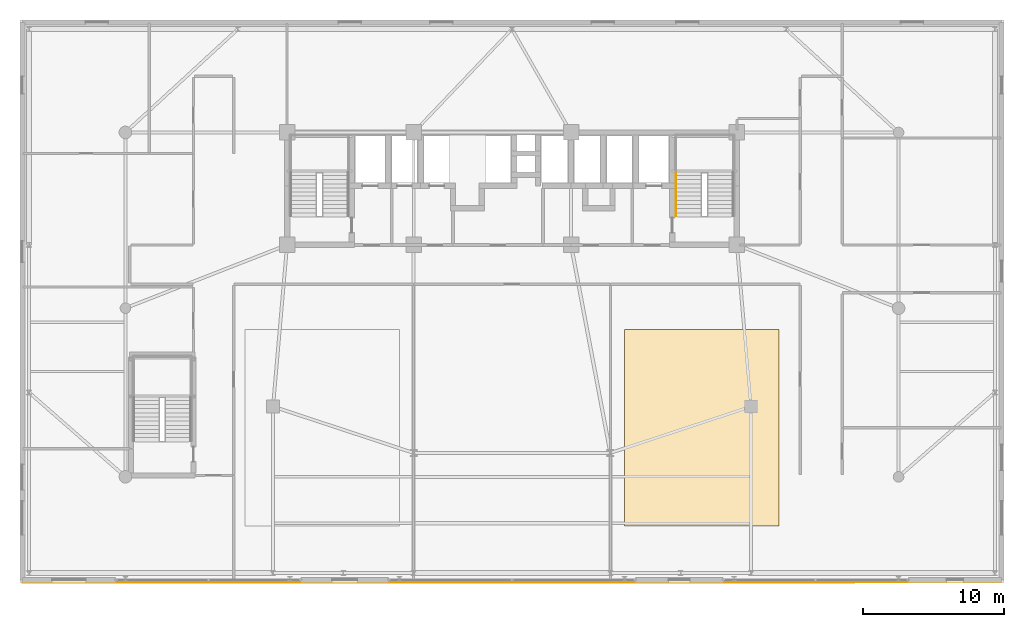
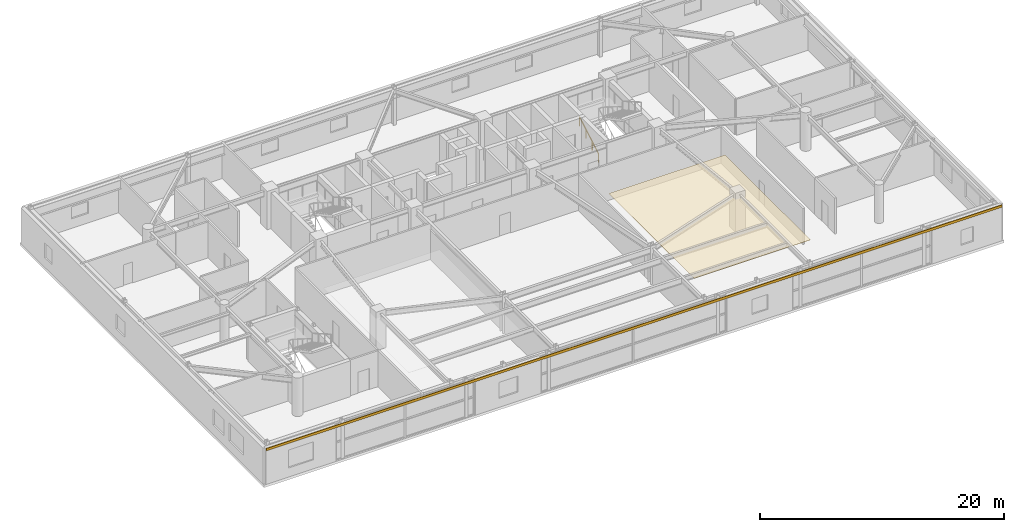
# One storey, part 25 of 26: 2 coverings, 1 railing.
"""IFC4 building model written with IfcOpenShell, lengths in metres."""

from ifc_helpers import new_model, si_unit, direction, frame, origin, origin_2d, place, context, subcontext, project, spatial, rectangle, extrude, source, transform, mapped, material, layer, layer_set, type_object, element, save


model = new_model("IFC4")

# Units and contexts
model_context = context("Model", 3, precision=1e-05, world=origin(), true_north=direction((0.0, 1.0)))
body_context = subcontext(model_context, "Body", "Model", "MODEL_VIEW")
ifc_project = project(units=[si_unit("LENGTHUNIT", "METRE"), si_unit("AREAUNIT", "SQUARE_METRE"), si_unit("VOLUMEUNIT", "CUBIC_METRE"), si_unit("PLANEANGLEUNIT", "RADIAN"), si_unit("MASSUNIT", "GRAM", prefix="KILO")], contexts=[model_context])

# Site, building, storey
site_placement = place(None, origin())
site = spatial("IfcSite", under=ifc_project, at=site_placement, CompositionType="ELEMENT")
building_placement = place(site_placement, origin())
building = spatial("IfcBuilding", under=site, at=building_placement, Name="Taldren Reach Tower", CompositionType="ELEMENT")
storey_placement = place(building_placement, frame((0.0, 0.0, 4.550048828125)))
storey = spatial("IfcBuildingStorey", under=building, at=storey_placement, Name="L01", CompositionType="ELEMENT", Elevation=4.550048828125)

# Railing
ifc_material_1 = material(Name="Stainless Steel Gr 316", Category="steel")
ifc_layer_1 = layer(ifc_material_1, 0.048095703125)
ifc_layer_set_1 = layer_set([ifc_layer_1], Name="Stainless Steel Gr 316")
railing_type = type_object("IfcRailingType", Name="RL-STAIR-HR", PredefinedType="HANDRAIL", material=ifc_layer_set_1)
railing_placement = place(storey_placement, frame((46.669921875, 26.050048828125, 0.160400390625)))
element("IfcRailing", 1, at=railing_placement, inside=storey, type_object=railing_type, Name="Stair flight handrail ST2-L01-1", PredefinedType="HANDRAIL", context=body_context, shape_type="SweptSolid", body=[
    extrude(rectangle(XDim=0.047852, YDim=0.047852, at=origin_2d()), frame((0.0, 0.0, 0.89599609375), z_axis=(0.0, 0.868023234622, 0.496523578652), x_axis=(-1.0, 0.0, 0.0)), (0.0, 0.0, 1.0), 3.553955078125),
    extrude(rectangle(XDim=0.041992, YDim=0.041992, at=origin_2d()), origin(), (0.0, 0.0, 1.0), 0.871826171875),
    extrude(rectangle(XDim=0.041992, YDim=0.041992, at=origin_2d()), frame((0.0, 1.0283203125, 0.588134765625)), (0.0, 0.0, 1.0), 0.871826171875),
    extrude(rectangle(XDim=0.041992, YDim=0.041992, at=origin_2d()), frame((0.0, 2.056640625, 1.176513671875)), (0.0, 0.0, 1.0), 0.871826171875),
    extrude(rectangle(XDim=0.041992, YDim=0.041992, at=origin_2d()), frame((0.0, 3.0849609375, 1.7646484375)), (0.0, 0.0, 1.0), 0.871826171875),
])

# Coverings
ifc_material_2 = material(Name="Pale Champagne Fluoropolymer Aluminium Spandrel Cladding", Category="aluminium")
ifc_layer_2 = layer(ifc_material_2, 0.06005859375)
ifc_layer_set_2 = layer_set([ifc_layer_2], Name="Pale Champagne Fluoropolymer Aluminium Spandrel Cladding")
covering_type_1 = type_object("IfcCoveringType", Name="CV-CLAD-060", PredefinedType="CLADDING", material=ifc_layer_set_2)
shared_shape_1 = source(origin(), body_context, "Body", "SweptSolid", [
    extrude(rectangle(XDim=69.60009765625, YDim=0.06005859375, at=origin_2d()), origin(), (0.0, 0.0, 1.0), 0.239990234375),
])
covering_1_placement = place(storey_placement, frame((35.0, -0.02001953125, 3.39013671875), z_axis=(0.0, 0.0, 1.0), x_axis=(1.0, 0.0, 0.0)))
element("IfcCovering", 2, at=covering_1_placement, inside=storey, type_object=covering_type_1, Name="Pale-metal spandrel cladding L01", PredefinedType="CLADDING", context=body_context, shape_type="MappedRepresentation", body=[
    mapped(shared_shape_1, transform((0.0, 0.0, 0.0), scale=1.0)),
])
ifc_material_3 = material(Name="Perforated Acoustic Mineral-Fibre Ceiling Tile")
ifc_layer_3 = layer(ifc_material_3, 0.02490234375)
ifc_layer_set_3 = layer_set([ifc_layer_3], Name="Perforated Acoustic Mineral-Fibre Ceiling Tile")
covering_type_2 = type_object("IfcCoveringType", Name="CV-CEIL-025", PredefinedType="CEILING", material=ifc_layer_set_3)
shared_shape_2 = source(origin(), body_context, "Body", "SweptSolid", [
    extrude(rectangle(XDim=11.0, YDim=14.0, at=origin_2d()), origin(), (0.0, 0.0, 1.0), 0.02490234375),
])
covering_2_placement = place(storey_placement, frame((48.5, 11.0, 3.1875), z_axis=(0.0, 0.0, 1.0), x_axis=(1.0, 0.0, 0.0)))
element("IfcCovering", 3, at=covering_2_placement, inside=storey, type_object=covering_type_2, Name="Suspended acoustic ceiling L01-04", PredefinedType="CEILING", context=body_context, shape_type="MappedRepresentation", body=[
    mapped(shared_shape_2, transform((0.0, 0.0, 0.0), scale=1.0)),
])

save(model, "model.ifc")
